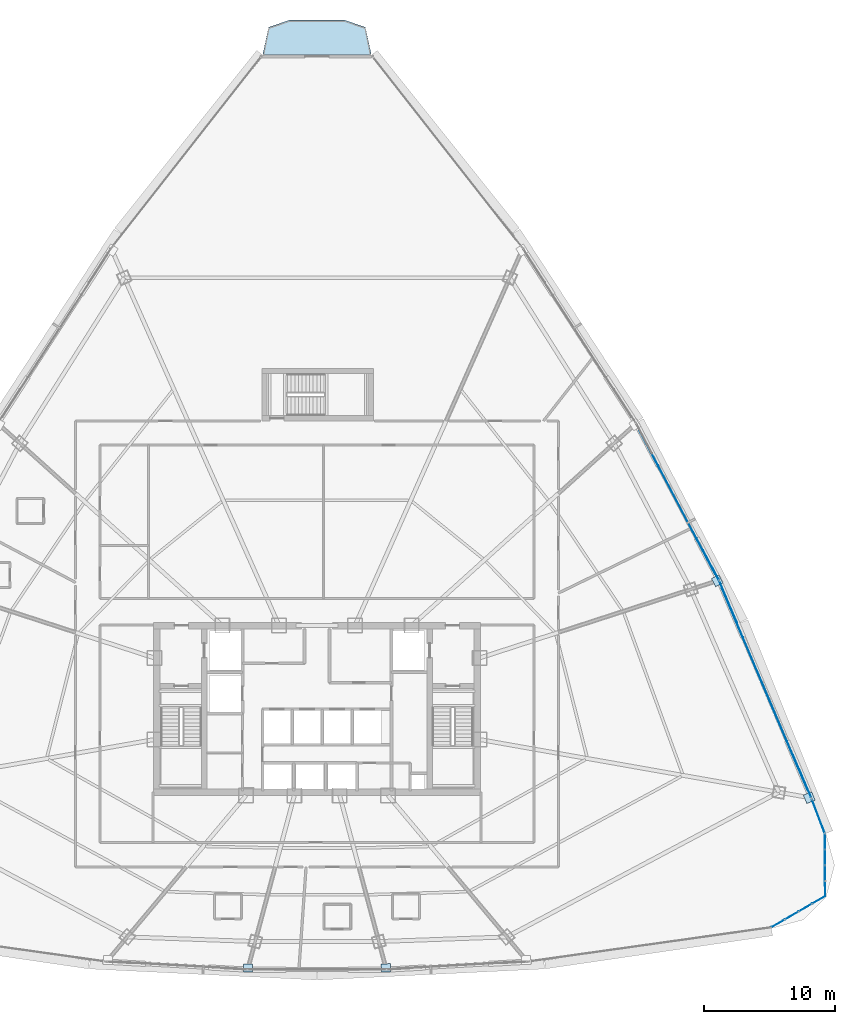
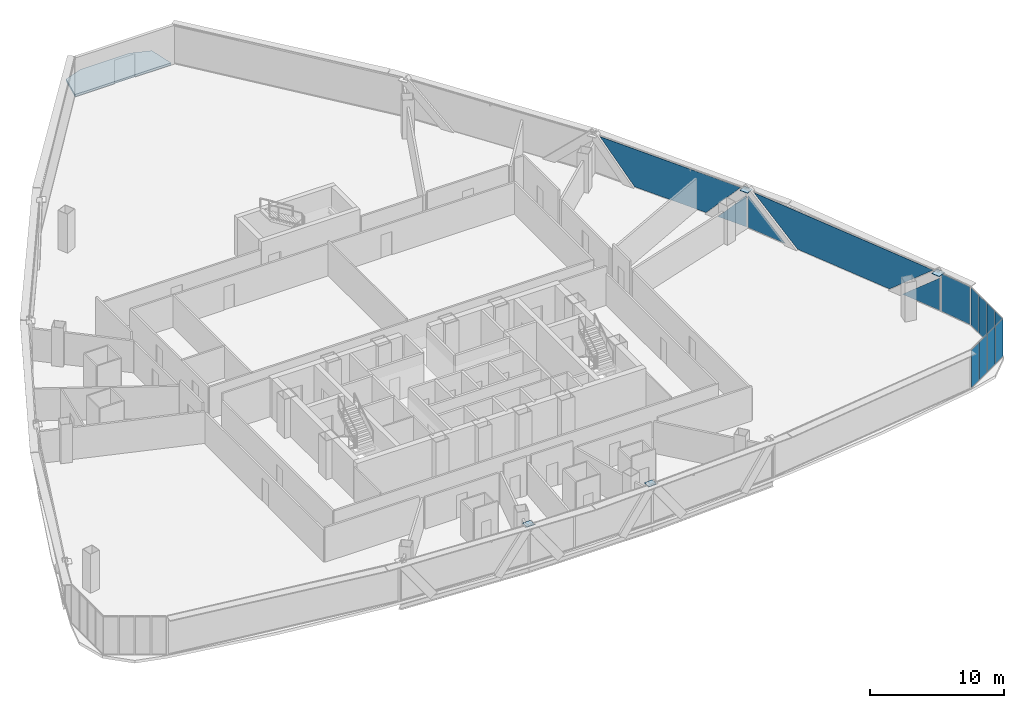
# One storey, part 31 of 40: 18 plates, 1 slab, 5 elements without a shape of their own.
"""IFC4 building model written with IfcOpenShell, lengths in metres."""

from ifc_helpers import new_model, si_unit, direction, frame, origin, origin_2d, place, context, subcontext, project, spatial, polyline, rectangle, outline, extrude, source, transform, mapped, material, layer, layer_set, type_object, element, aggregate, save


model = new_model("IFC4")

# Units and contexts
model_context = context("Model", 3, precision=1e-05, world=origin(), true_north=direction((0.0, 1.0)))
body_context = subcontext(model_context, "Body", "Model", "MODEL_VIEW")
ifc_project = project(units=[si_unit("LENGTHUNIT", "METRE"), si_unit("AREAUNIT", "SQUARE_METRE"), si_unit("VOLUMEUNIT", "CUBIC_METRE"), si_unit("PLANEANGLEUNIT", "RADIAN"), si_unit("MASSUNIT", "GRAM", prefix="KILO"), si_unit("THERMODYNAMICTEMPERATUREUNIT", "KELVIN"), si_unit("POWERUNIT", "WATT")], contexts=[model_context])

# Site, building, storey
site_placement = place(None, origin())
site = spatial("IfcSite", under=ifc_project, at=site_placement, CompositionType="ELEMENT")
building_placement = place(site_placement, origin())
building = spatial("IfcBuilding", under=site, at=building_placement, Name="Yunzhuo Pagoda Commons", CompositionType="ELEMENT")
storey_placement = place(building_placement, frame((0.0, 0.0, 188.56005859375)))
storey = spatial("IfcBuildingStorey", under=building, at=storey_placement, Name="L47", CompositionType="ELEMENT", Elevation=188.56005859375)

# Curtain wall, plates
ifc_material_1 = material(Name="Anodized aluminium 6063-T6", Category="aluminium")
ifc_layer_1 = layer(ifc_material_1, 0.14990234375)
ifc_layer_set_1 = layer_set([ifc_layer_1], Name="Anodized aluminium 6063-T6")
curtain_wall_type_1 = type_object("IfcCurtainWallType", Name="CW-MID Mid-Zone Ribbon Curtain Wall", PredefinedType="NOTDEFINED", material=ifc_layer_set_1)
curtain_wall_1_placement = place(storey_placement, origin())
curtain_wall_1 = element("IfcCurtainWall", 1, at=curtain_wall_1_placement, inside=storey, type_object=curtain_wall_type_1, Name="L47 curtain wall CW-L47-F2B2", PredefinedType="NOTDEFINED")
ifc_material_2 = material(Name="Tempered low-e double glazing", Category="glass")
ifc_layer_2 = layer(ifc_material_2, 0.028076171875)
ifc_layer_set_2 = layer_set([ifc_layer_2], Name="Tempered low-e double glazing")
plate_type_1 = type_object("IfcPlateType", Name="CW-MID-P Low-E Double Glazing 28", PredefinedType="CURTAIN_PANEL", material=ifc_layer_set_2)
plate_1_placement = place(storey_placement, frame((84.974853515625, 28.7080078125, 1.523681640625), z_axis=(0.920515325194, 0.390706457693, 0.0), x_axis=(-0.390706457693, 0.920515325194, 0.0)))
plate_1 = element("IfcPlate", 2, at=plate_1_placement, type_object=plate_type_1, Name="CW panel 1.1 lite 1", PredefinedType="CURTAIN_PANEL", context=body_context, shape_type="SweptSolid", body=[
    extrude(outline(polyline([(-1.742919921875, -1.46875), (1.742919921875, -1.46875), (-1.742919921875, 1.46875), (-1.742919921875, -1.46875)])), origin(), (0.0, 0.0, 1.0), 0.028076171875),
])
plate_2_placement = place(storey_placement, frame((82.128173828125, 35.33837890625, 1.77001953125), z_axis=(0.920515325194, 0.390706457693, 0.0), x_axis=(-0.390706457693, 0.920515325194, 0.0)))
plate_2 = element("IfcPlate", 3, at=plate_2_placement, type_object=plate_type_1, Name="CW panel 1.1 lite 2", PredefinedType="CURTAIN_PANEL", context=body_context, shape_type="SweptSolid", body=[
    extrude(outline(polyline([(-8.363525390625, 1.715087890625), (-4.293212890625, -1.715087890625), (4.293212890625, -1.715087890625), (8.363525390625, 1.715087890625), (-8.363525390625, 1.715087890625)])), origin(), (0.0, 0.0, 1.0), 0.028076171875),
])
plate_3_placement = place(storey_placement, frame((79.336669921875, 41.9921875, 1.523681640625), z_axis=(0.920515325194, 0.390706457693, 0.0), x_axis=(-0.390706457693, 0.920515325194, 0.0)))
plate_3 = element("IfcPlate", 4, at=plate_3_placement, type_object=plate_type_1, Name="CW panel 1.1 lite 3", PredefinedType="CURTAIN_PANEL", context=body_context, shape_type="SweptSolid", body=[
    extrude(outline(polyline([(-1.742919921875, -1.46875), (1.742919921875, -1.46875), (1.742919921875, 1.46875), (-1.742919921875, -1.46875)])), origin(), (0.0, 0.0, 1.0), 0.028076171875),
])
aggregate(curtain_wall_1, [plate_1, plate_2, plate_3])

curtain_wall_2_placement = place(storey_placement, origin())
curtain_wall_2 = element("IfcCurtainWall", 5, at=curtain_wall_2_placement, inside=storey, type_object=curtain_wall_type_1, Name="L47 curtain wall CW-L47-F2B3", PredefinedType="NOTDEFINED")
plate_4_placement = place(storey_placement, frame((78.01416015625, 44.82275390625, 1.477783203125), z_axis=(0.884373131246, 0.46678063877, 0.0), x_axis=(-0.46678063877, 0.884373131246, 0.0)))
plate_4 = element("IfcPlate", 6, at=plate_4_placement, type_object=plate_type_1, Name="CW panel 1.1 lite 1", PredefinedType="CURTAIN_PANEL", context=body_context, shape_type="SweptSolid", body=[
    extrude(outline(polyline([(-1.265380859375, -1.4228515625), (1.265380859375, -1.4228515625), (-1.265380859375, 1.4228515625), (-1.265380859375, -1.4228515625)])), origin(), (0.0, 0.0, 1.0), 0.028076171875),
])
plate_5_placement = place(storey_placement, frame((75.451171875, 49.61376953125, 1.77001953125), z_axis=(0.884373131246, 0.46678063877, 0.0), x_axis=(-0.46678063877, 0.884373131246, 0.0)))
plate_5 = element("IfcPlate", 7, at=plate_5_placement, type_object=plate_type_1, Name="CW panel 1.1 lite 2", PredefinedType="CURTAIN_PANEL", context=body_context, shape_type="SweptSolid", body=[
    extrude(outline(polyline([(-6.201416015625, 1.715087890625), (-3.15087890625, -1.715087890625), (3.15087890625, -1.715087890625), (6.201416015625, 1.715087890625), (-6.201416015625, 1.715087890625)])), origin(), (0.0, 0.0, 1.0), 0.028076171875),
])
aggregate(curtain_wall_2, [plate_4, plate_5])

# Slab
ifc_material_3 = material(Name="Concrete C40", Category="concrete")
ifc_layer_3 = layer(ifc_material_3, 0.199951171875)
ifc_layer_set_3 = layer_set([ifc_layer_3], Name="Concrete C40")
slab_type = type_object("IfcSlabType", Name="SL-BAL Vertex Balcony Deck Slab 200", PredefinedType="FLOOR", material=ifc_layer_set_3)
slab_placement = place(storey_placement, frame((0.0, 0.0, -0.199951171875)))
element("IfcSlab", 8, at=slab_placement, inside=storey, type_object=slab_type, Name="L47 corner balcony V3", PredefinedType="FLOOR", context=body_context, shape_type="SweptSolid", body=[
    extrude(outline(polyline([(52.140380859375, 83.7177734375), (43.859619140625, 83.7177734375), (44.309814453125, 85.812744140625), (45.929931640625, 86.36279296875), (50.070068359375, 86.36279296875), (51.690185546875, 85.812744140625), (52.140380859375, 83.7177734375)])), origin(), (0.0, 0.0, 1.0), 0.199951171875),
])

# Plates
ifc_material_4 = material(Name="Structural steel Q355B", Category="steel")
ifc_layer_4 = layer(ifc_material_4, 0.028076171875)
ifc_layer_set_4 = layer_set([ifc_layer_4], Name="Structural steel Q355B")
plate_type_2 = type_object("IfcPlateType", Name="SP-ND1 Lattice Node Cap Plate 800x500x28", PredefinedType="USERDEFINED", material=ifc_layer_set_4)
shared_shape_1 = source(origin(), body_context, "Body", "SweptSolid", [
    extrude(rectangle(XDim=0.699951171875, YDim=0.62255859375, at=origin_2d()), origin(), (0.0, 0.0, 1.0), 0.035888671875),
])
for number, where, z_axis, x_axis, name in (
    (9, (42.748779296875, 14.10205078125, 3.501953125), (0.0, 0.0, 1.0), (1.0, 0.0, 0.0), "L47 setback lattice tie plate F1.2L"),
    (10, (53.251220703125, 14.10205078125, 3.501953125), (0.0, 0.0, 1.0), (0.998423178068, 0.05613517165, 0.0), "L47 setback lattice tie plate F1.3L"),
):
    element("IfcPlate", number, at=place(storey_placement, frame(where, z_axis=z_axis, x_axis=x_axis)), inside=storey, type_object=plate_type_2, Name=name, ObjectType="STIFFENER_PLATE", PredefinedType="USERDEFINED", context=body_context, shape_type="MappedRepresentation", body=[
        mapped(shared_shape_1, transform((0.0, 0.0, 0.0), scale=1.0)),
    ])
shared_shape_2 = source(origin(), body_context, "Body", "SweptSolid", [
    extrude(rectangle(XDim=0.699951171875, YDim=0.694091796875, at=origin_2d()), origin(), (0.0, 0.0, 1.0), 0.035888671875),
])
plate_6_placement = place(storey_placement, frame((85.52294921875, 27.083740234375, 3.501953125), z_axis=(0.0, 0.0, 1.0), x_axis=(-0.39069899657, 0.920518491981, 0.0)))
element("IfcPlate", 11, at=plate_6_placement, inside=storey, type_object=plate_type_2, Name="L47 setback lattice tie plate F2.1L", ObjectType="STIFFENER_PLATE", PredefinedType="USERDEFINED", context=body_context, shape_type="MappedRepresentation", body=[
    mapped(shared_shape_2, transform((0.0, 0.0, 0.0), scale=1.0)),
])
shared_shape_3 = source(origin(), body_context, "Body", "SweptSolid", [
    extrude(rectangle(XDim=0.699951171875, YDim=0.6328125, at=origin_2d()), origin(), (0.0, 0.0, 1.0), 0.035888671875),
])
plate_7_placement = place(storey_placement, frame((78.510498046875, 43.613525390625, 3.501953125), z_axis=(0.0, 0.0, 1.0), x_axis=(-0.46678800242, 0.884369244601, 0.0)))
element("IfcPlate", 12, at=plate_7_placement, inside=storey, type_object=plate_type_2, Name="L47 setback lattice tie plate F2.2L", ObjectType="STIFFENER_PLATE", PredefinedType="USERDEFINED", context=body_context, shape_type="MappedRepresentation", body=[
    mapped(shared_shape_3, transform((0.0, 0.0, 0.0), scale=1.0)),
])

# Curtain wall, plate
curtain_wall_3_placement = place(storey_placement, origin())
curtain_wall_3 = element("IfcCurtainWall", 13, at=curtain_wall_3_placement, inside=storey, type_object=curtain_wall_type_1, Name="L47 curtain wall CW-L47-F2B1", PredefinedType="NOTDEFINED")
shared_shape_4 = source(origin(), body_context, "Body", "SweptSolid", [
    extrude(rectangle(XDim=2.718994140625, YDim=0.028076171875, at=origin_2d()), origin(), (0.0, 0.0, 1.0), 3.429931640625),
])
plate_8_placement = place(storey_placement, frame((86.2216796875, 25.65625, 0.05517578125), z_axis=(0.0, 0.0, 1.0), x_axis=(-0.354256000401, 0.935148483493, 0.0)))
plate_8 = element("IfcPlate", 14, at=plate_8_placement, type_object=plate_type_1, Name="CW panel 1.1", PredefinedType="CURTAIN_PANEL", context=body_context, shape_type="MappedRepresentation", body=[
    mapped(shared_shape_4, transform((0.0, 0.0, 0.0), scale=1.0)),
])
aggregate(curtain_wall_3, [plate_8])

# Curtain wall, plates
ifc_layer_5 = layer(ifc_material_1, 0.1298828125)
ifc_layer_set_5 = layer_set([ifc_layer_5], Name="Anodized aluminium 6063-T6")
curtain_wall_type_2 = type_object("IfcCurtainWallType", Name="CW-VTX Rounded Corner Curtain Wall", PredefinedType="NOTDEFINED", material=ifc_layer_set_5)
curtain_wall_4_placement = place(storey_placement, origin())
curtain_wall_4 = element("IfcCurtainWall", 15, at=curtain_wall_4_placement, inside=storey, type_object=curtain_wall_type_2, Name="L47 curtain wall CW-L47-VTX2S1", PredefinedType="NOTDEFINED")
ifc_layer_6 = layer(ifc_material_2, 0.02587890625)
ifc_layer_set_6 = layer_set([ifc_layer_6], Name="Tempered low-e double glazing")
plate_type_3 = type_object("IfcPlateType", Name="CW-VTX-P Low-E Double Glazing 26", PredefinedType="CURTAIN_PANEL", material=ifc_layer_set_6)
shared_shape_5 = source(origin(), body_context, "Body", "SweptSolid", [
    extrude(rectangle(XDim=1.118408203125, YDim=0.028076171875, at=origin_2d()), origin(), (0.0, 0.0, 1.0), 3.429931640625),
])
plate_9_placement = place(storey_placement, frame((83.15576171875, 17.4951171875, 0.05517578125), z_axis=(0.0, 0.0, 1.0), x_axis=(0.865423910208, 0.501040373263, 0.0)))
plate_9 = element("IfcPlate", 16, at=plate_9_placement, type_object=plate_type_3, Name="CW panel 1.1", PredefinedType="CURTAIN_PANEL", context=body_context, shape_type="MappedRepresentation", body=[
    mapped(shared_shape_5, transform((0.0, 0.0, 0.0), scale=1.0)),
])
plate_10_placement = place(storey_placement, frame((86.25, 19.28662109375, 0.05517578125), z_axis=(0.0, 0.0, 1.0), x_axis=(0.865423910208, 0.501040373263, 0.0)))
plate_10 = element("IfcPlate", 17, at=plate_10_placement, type_object=plate_type_3, Name="CW panel 4.1", PredefinedType="CURTAIN_PANEL", context=body_context, shape_type="MappedRepresentation", body=[
    mapped(shared_shape_5, transform((0.0, 0.0, 0.0), scale=1.0)),
])

curtain_wall_5_placement = place(storey_placement, origin())
curtain_wall_5 = element("IfcCurtainWall", 18, at=curtain_wall_5_placement, inside=storey, type_object=curtain_wall_type_2, Name="L47 curtain wall CW-L47-VTX2S2", PredefinedType="NOTDEFINED")
plate_11_placement = place(storey_placement, frame((86.739501953125, 20.13916015625, 0.05517578125), z_axis=(0.0, 0.0, 1.0), x_axis=(-0.003580326762, 0.99999359061, 0.0)))
plate_11 = element("IfcPlate", 19, at=plate_11_placement, type_object=plate_type_3, Name="CW panel 1.1", PredefinedType="CURTAIN_PANEL", context=body_context, shape_type="MappedRepresentation", body=[
    mapped(shared_shape_5, transform((0.0, 0.0, 0.0), scale=1.0)),
])
plate_12_placement = place(storey_placement, frame((86.726806640625, 23.714599609375, 0.05517578125), z_axis=(0.0, 0.0, 1.0), x_axis=(-0.003580326762, 0.99999359061, 0.0)))
plate_12 = element("IfcPlate", 20, at=plate_12_placement, type_object=plate_type_3, Name="CW panel 4.1", PredefinedType="CURTAIN_PANEL", context=body_context, shape_type="MappedRepresentation", body=[
    mapped(shared_shape_5, transform((0.0, 0.0, 0.0), scale=1.0)),
])

# Plate
shared_shape_6 = source(origin(), body_context, "Body", "SweptSolid", [
    extrude(rectangle(XDim=1.14599609375, YDim=0.028076171875, at=origin_2d()), origin(), (0.0, 0.0, 1.0), 3.429931640625),
])
plate_13_placement = place(storey_placement, frame((84.183349609375, 18.090087890625, 0.05517578125), z_axis=(0.0, 0.0, 1.0), x_axis=(0.865423910208, 0.501040373263, 0.0)))
plate_13 = element("IfcPlate", 21, at=plate_13_placement, type_object=plate_type_3, Name="CW panel 2.1", PredefinedType="CURTAIN_PANEL", context=body_context, shape_type="MappedRepresentation", body=[
    mapped(shared_shape_6, transform((0.0, 0.0, 0.0), scale=1.0)),
])

plate_14_placement = place(storey_placement, frame((85.22265625, 18.69189453125, 0.05517578125), z_axis=(0.0, 0.0, 1.0), x_axis=(0.865423910208, 0.501040373263, 0.0)))
plate_14 = element("IfcPlate", 22, at=plate_14_placement, type_object=plate_type_3, Name="CW panel 3.1", PredefinedType="CURTAIN_PANEL", context=body_context, shape_type="MappedRepresentation", body=[
    mapped(shared_shape_6, transform((0.0, 0.0, 0.0), scale=1.0)),
])

aggregate(curtain_wall_4, [plate_9, plate_13, plate_14, plate_10])

plate_15_placement = place(storey_placement, frame((86.7353515625, 21.326416015625, 0.05517578125), z_axis=(0.0, 0.0, 1.0), x_axis=(-0.003580326762, 0.99999359061, 0.0)))
plate_15 = element("IfcPlate", 23, at=plate_15_placement, type_object=plate_type_3, Name="CW panel 2.1", PredefinedType="CURTAIN_PANEL", context=body_context, shape_type="MappedRepresentation", body=[
    mapped(shared_shape_6, transform((0.0, 0.0, 0.0), scale=1.0)),
])

plate_16_placement = place(storey_placement, frame((86.73095703125, 22.52734375, 0.05517578125), z_axis=(0.0, 0.0, 1.0), x_axis=(-0.003580326762, 0.99999359061, 0.0)))
plate_16 = element("IfcPlate", 24, at=plate_16_placement, type_object=plate_type_3, Name="CW panel 3.1", PredefinedType="CURTAIN_PANEL", context=body_context, shape_type="MappedRepresentation", body=[
    mapped(shared_shape_6, transform((0.0, 0.0, 0.0), scale=1.0)),
])

aggregate(curtain_wall_5, [plate_11, plate_15, plate_16, plate_12])

save(model, "model.ifc")
